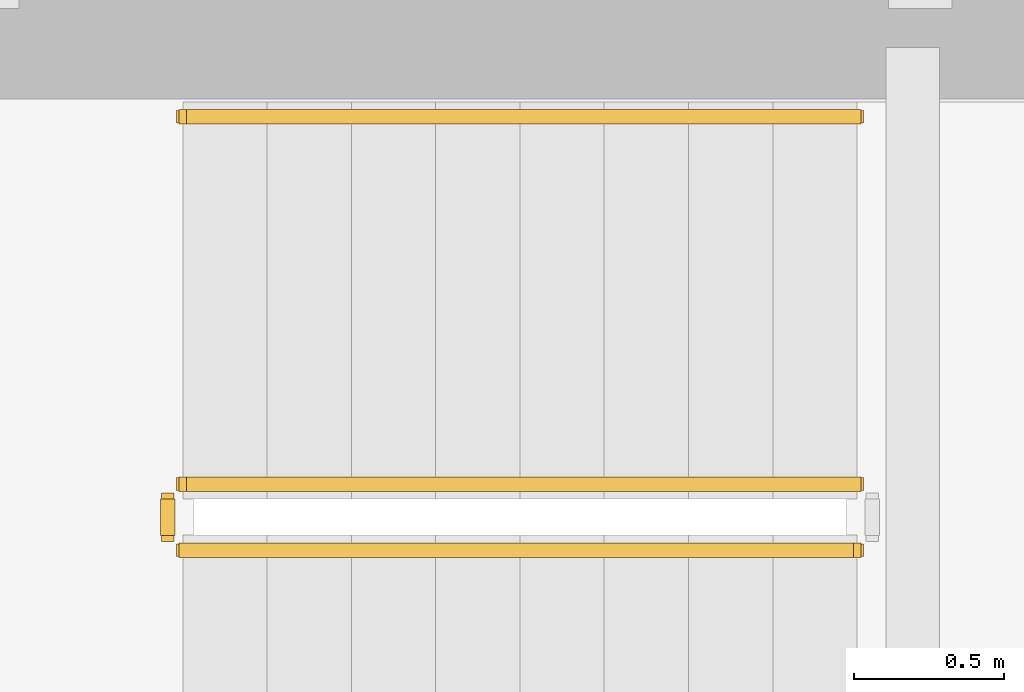
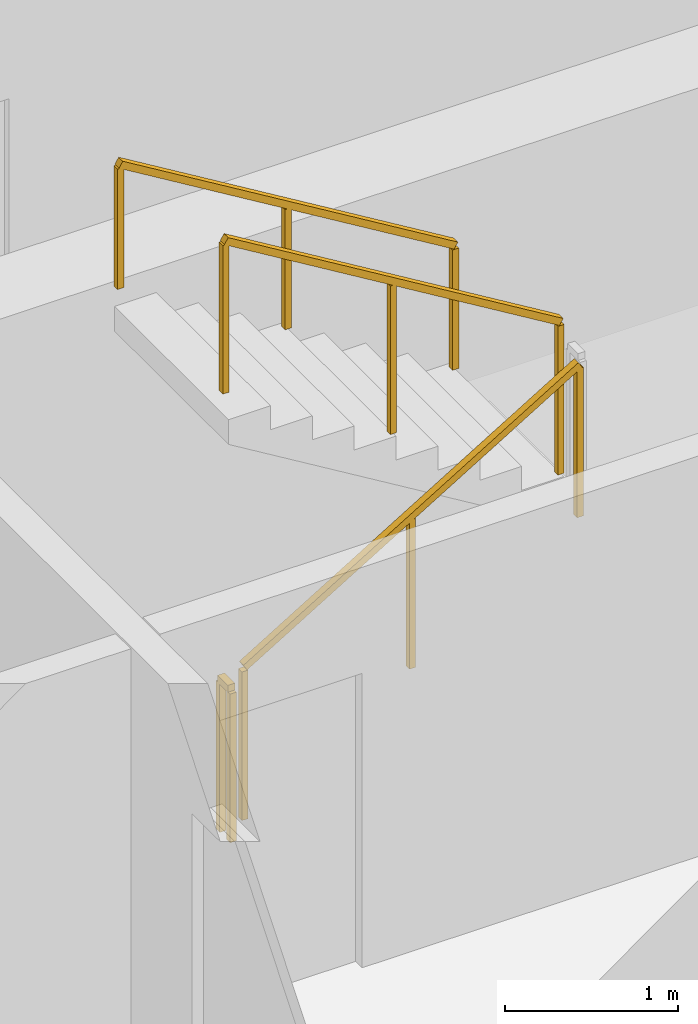
# One storey, part 11 of 13: 4 railings.
"""IFC4 building model written with IfcOpenShell, lengths in metres."""

from ifc_helpers import new_model, si_unit, direction, frame, origin, origin_2d, place, context, subcontext, project, spatial, rectangle, extrude, material, type_object, element, save


model = new_model("IFC4")

# Units and contexts
model_context = context("Model", 3, precision=1e-05, world=origin(), true_north=direction((0.0, 1.0)))
body_context = subcontext(model_context, "Body", "Model", "MODEL_VIEW")
ifc_project = project(units=[si_unit("LENGTHUNIT", "METRE"), si_unit("AREAUNIT", "SQUARE_METRE"), si_unit("VOLUMEUNIT", "CUBIC_METRE"), si_unit("PLANEANGLEUNIT", "RADIAN"), si_unit("MASSUNIT", "GRAM", prefix="KILO")], contexts=[model_context])

# Site, building, storey
site_placement = place(None, origin())
site = spatial("IfcSite", under=ifc_project, at=site_placement, CompositionType="ELEMENT")
building_placement = place(site_placement, origin())
building = spatial("IfcBuilding", under=site, at=building_placement, Name="Qhalaya Broadcast Tower", CompositionType="ELEMENT")
storey_placement = place(building_placement, frame((0.0, 0.0, 32.199951171875)))
storey = spatial("IfcBuildingStorey", under=building, at=storey_placement, Name="L08", CompositionType="ELEMENT", Elevation=32.199951171875)

# Railings
ifc_material = material(Name="Powder-Coated Galvanised Steel", Category="steel")
railing_type_1 = type_object("IfcRailingType", Name="Stair Wall Handrail 900", PredefinedType="HANDRAIL", material=ifc_material)
railing_1_placement = place(storey_placement, frame((5.989990234375, 9.590087890625, 1.694580078125)))
element("IfcRailing", 1, at=railing_1_placement, inside=storey, type_object=railing_type_1, Name="L08 ST-1 Stair Handrail 2", PredefinedType="HANDRAIL", context=body_context, shape_type="SweptSolid", body=[
    extrude(rectangle(XDim=0.048095703125, YDim=0.048095703125, at=origin_2d()), frame((0.0, 0.0, 0.8759765625), z_axis=(-0.855553338991, 0.0, 0.51771467445), x_axis=(0.0, -1.0, 0.0)), (0.0, 0.0, 1.0), 2.6181640625),
    extrude(rectangle(XDim=0.0419921875, YDim=0.0419921875, at=origin_2d()), origin(), (0.0, 0.0, 1.0), 0.849853515625),
    extrude(rectangle(XDim=0.0419921875, YDim=0.0419921875, at=origin_2d()), frame((-1.1201171875, 0.0, 0.677734375)), (0.0, 0.0, 1.0), 0.849853515625),
    extrude(rectangle(XDim=0.0419921875, YDim=0.0419921875, at=origin_2d()), frame((-2.239990234375, 0.0, 1.35546875)), (0.0, 0.0, 1.0), 0.849853515625),
])
railing_type_2 = type_object("IfcRailingType", Name="Stair Well & Landing Guardrail 1100", PredefinedType="GUARDRAIL", material=ifc_material)
railing_2_placement = place(storey_placement, frame((3.75, 8.14990234375, 0.16943359375)))
element("IfcRailing", 2, at=railing_2_placement, inside=storey, type_object=railing_type_2, Name="L08 ST-1 Stair Guard 1", PredefinedType="GUARDRAIL", context=body_context, shape_type="SweptSolid", body=[
    extrude(rectangle(XDim=0.048095703125, YDim=0.048095703125, at=origin_2d()), frame((0.0, 0.0, 1.076171875), z_axis=(0.855512035549, 0.0, 0.517782924622), x_axis=(0.0, 1.0, 0.0)), (0.0, 0.0, 1.0), 2.618408203125),
    extrude(rectangle(XDim=0.0419921875, YDim=0.0419921875, at=origin_2d()), origin(), (0.0, 0.0, 1.0), 1.050048828125),
    extrude(rectangle(XDim=0.0419921875, YDim=0.0419921875, at=origin_2d()), frame((1.1201171875, 0.0, 0.677734375)), (0.0, 0.0, 1.0), 1.050048828125),
    extrude(rectangle(XDim=0.0419921875, YDim=0.0419921875, at=origin_2d()), frame((2.239990234375, 0.0, 1.355712890625)), (0.0, 0.0, 1.0), 1.050048828125),
])
railing_3_placement = place(storey_placement, frame((5.989990234375, 8.3701171875, 1.694580078125)))
element("IfcRailing", 3, at=railing_3_placement, inside=storey, type_object=railing_type_2, Name="L08 ST-1 Stair Guard 3", PredefinedType="GUARDRAIL", context=body_context, shape_type="SweptSolid", body=[
    extrude(rectangle(XDim=0.048095703125, YDim=0.048095703125, at=origin_2d()), frame((0.0, 0.0, 1.076171875), z_axis=(-0.855553338991, 0.0, 0.51771467445), x_axis=(0.0, -1.0, 0.0)), (0.0, 0.0, 1.0), 2.6181640625),
    extrude(rectangle(XDim=0.0419921875, YDim=0.0419921875, at=origin_2d()), origin(), (0.0, 0.0, 1.0), 1.050048828125),
    extrude(rectangle(XDim=0.0419921875, YDim=0.0419921875, at=origin_2d()), frame((-1.1201171875, 0.0, 0.677734375)), (0.0, 0.0, 1.0), 1.050048828125),
    extrude(rectangle(XDim=0.0419921875, YDim=0.0419921875, at=origin_2d()), frame((-2.239990234375, 0.0, 1.35546875)), (0.0, 0.0, 1.0), 1.050048828125),
])
railing_4_placement = place(storey_placement, frame((3.699951171875, 8.199951171875, 0.0)))
element("IfcRailing", 4, at=railing_4_placement, inside=storey, type_object=railing_type_2, Name="L08 ST-1 Stair Guard 4", PredefinedType="GUARDRAIL", context=body_context, shape_type="SweptSolid", body=[
    extrude(rectangle(XDim=0.048095703125, YDim=0.048095703125, at=origin_2d()), frame((0.0, 0.0, 1.076171875), z_axis=(0.0, 1.0, 0.0), x_axis=(-1.0, 0.0, 0.0)), (0.0, 0.0, 1.0), 0.1201171875),
    extrude(rectangle(XDim=0.0419921875, YDim=0.0419921875, at=origin_2d()), origin(), (0.0, 0.0, 1.0), 1.050048828125),
    extrude(rectangle(XDim=0.0419921875, YDim=0.0419921875, at=origin_2d()), frame((0.0, 0.1201171875, 0.0)), (0.0, 0.0, 1.0), 1.050048828125),
])

save(model, "model.ifc")
